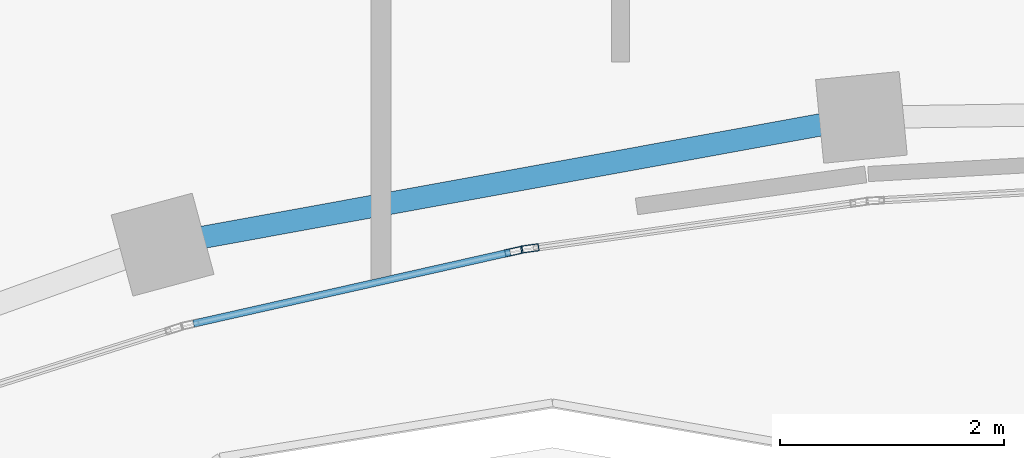
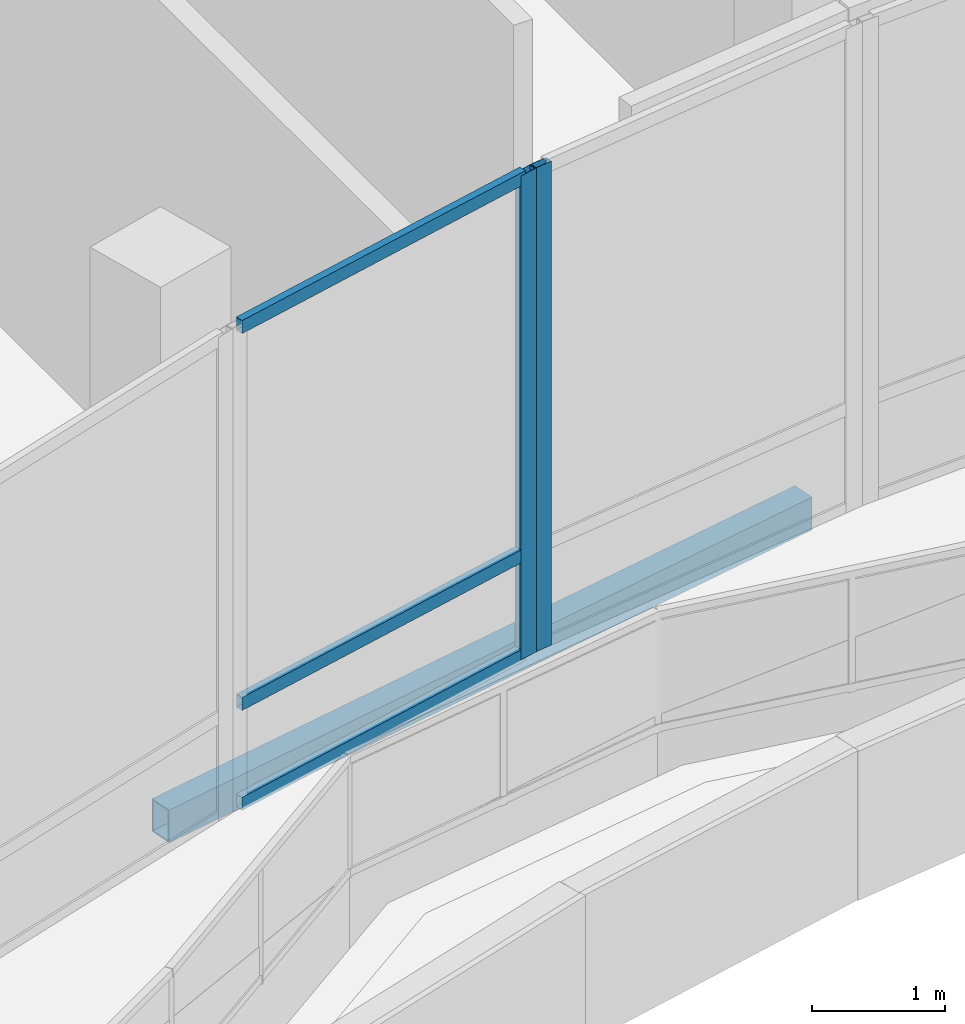
# One storey, part 65 of 168: 5 members, 1 beam, 2 elements without a shape of their own.
"""IFC4 building model written with IfcOpenShell, lengths in metres."""

from ifc_helpers import new_model, si_unit, direction, frame, origin, origin_2d, place, context, subcontext, project, spatial, hollow_rectangle, extrude, material, material_profile, profile_set, type_object, element, aggregate, save


model = new_model("IFC4")

# Units and contexts
model_context = context("Model", 3, precision=1e-05, world=origin(), true_north=direction((0.0, 1.0)))
body_context = subcontext(model_context, "Body", "Model", "MODEL_VIEW")
ifc_project = project(units=[si_unit("LENGTHUNIT", "METRE"), si_unit("AREAUNIT", "SQUARE_METRE"), si_unit("VOLUMEUNIT", "CUBIC_METRE"), si_unit("PLANEANGLEUNIT", "RADIAN"), si_unit("MASSUNIT", "GRAM", prefix="KILO")], contexts=[model_context])

# Site, building, storey
site_placement = place(None, origin())
site = spatial("IfcSite", under=ifc_project, at=site_placement, CompositionType="ELEMENT")
building_placement = place(site_placement, origin())
building = spatial("IfcBuilding", under=site, at=building_placement, Name="Selatvlak General Hospital", CompositionType="ELEMENT")
storey_placement = place(building_placement, frame((0.0, 0.0, 5.39990234375)))
storey = spatial("IfcBuildingStorey", under=building, at=storey_placement, Name="L01", CompositionType="ELEMENT", Elevation=5.39990234375)

# Beam
ifc_material_1 = material(Name="Steel S355", Category="steel")
ifc_material_profile_1 = material_profile(ifc_material_1, hollow_rectangle(XDim=0.199951171875, YDim=0.300048828125, WallThickness=0.011962890625, at=origin_2d()), Name="RHS 300x200x12")
ifc_profile_set_1 = profile_set([ifc_material_profile_1], Name="Steel S355")
beam_type = type_object("IfcBeamType", Name="BM-SP3", PredefinedType="SPANDREL", material=ifc_profile_set_1)
beam_placement = place(storey_placement, frame((130.049072265625, 53.43310546875, -0.469970703125), z_axis=(0.98381754343, 0.179173215743, 0.0), x_axis=(-0.179173215743, 0.98381754343, 0.0)))
element("IfcBeam", 1, at=beam_placement, inside=storey, type_object=beam_type, Name="Beam BMR-L01-0763", PredefinedType="SPANDREL", context=body_context, shape_type="SweptSolid", body=[
    extrude(hollow_rectangle(XDim=0.199951171875, YDim=0.300048828125, WallThickness=0.011962890625, at=origin_2d()), origin(), (0.0, 0.0, 1.0), 6.345703125),
])

# Curtain wall, member
ifc_material_2 = material(Name="Solar-control Low-E double glazing", Category="glass")
curtain_wall_type_1 = type_object("IfcCurtainWallType", Name="CW-CW-02", PredefinedType="USERDEFINED", material=ifc_material_2)
curtain_wall_1_placement = place(storey_placement, origin())
curtain_wall_1 = element("IfcCurtainWall", 2, at=curtain_wall_1_placement, inside=storey, type_object=curtain_wall_type_1, Name="Glazed facade curtain wall CW-L01-0154", ObjectType="UNITISED CURTAIN WALL", PredefinedType="USERDEFINED")
ifc_material_3 = material(Name="Dark anodised aluminium mullion", Category="aluminium")
ifc_material_profile_2 = material_profile(ifc_material_3, hollow_rectangle(XDim=0.06494140625, YDim=0.159912109375, WallThickness=0.00390625, at=origin_2d()), Name="AL-MUL 65x160x4")
ifc_profile_set_2 = profile_set([ifc_material_profile_2], Name="Dark anodised aluminium mullion")
member_type_1 = type_object("IfcMemberType", Name="CWM-01", PredefinedType="MULLION", material=ifc_profile_set_2)
member_1_placement = place(storey_placement, frame((133.330078125, 53.3994140625, 0.0), z_axis=(0.0, 0.0, 1.0), x_axis=(0.138421573138, -0.990373398315, 0.0)))
member_1 = element("IfcMember", 3, at=member_1_placement, type_object=member_type_1, Name="CW-02 mullion 2", PredefinedType="MULLION", context=body_context, shape_type="SweptSolid", body=[
    extrude(hollow_rectangle(XDim=0.06494140625, YDim=0.159912109375, WallThickness=0.00390625, at=origin_2d()), origin(), (0.0, 0.0, 1.0), 4.445068359375),
])
aggregate(curtain_wall_1, [member_1])

# Curtain wall, members
curtain_wall_type_2 = type_object("IfcCurtainWallType", Name="CW-CW-01", PredefinedType="USERDEFINED", material=ifc_material_2)
curtain_wall_2_placement = place(storey_placement, origin())
curtain_wall_2 = element("IfcCurtainWall", 4, at=curtain_wall_2_placement, inside=storey, type_object=curtain_wall_type_2, Name="Glazed facade curtain wall CW-L01-0155", ObjectType="UNITISED CURTAIN WALL", PredefinedType="USERDEFINED")
member_2_placement = place(storey_placement, frame((133.187255859375, 53.371826171875, 0.0), z_axis=(0.0, 0.0, 1.0), x_axis=(0.219653455874, -0.975577961684, 0.0)))
member_2 = element("IfcMember", 5, at=member_2_placement, type_object=member_type_1, Name="CW-01 mullion 1", PredefinedType="MULLION", context=body_context, shape_type="SweptSolid", body=[
    extrude(hollow_rectangle(XDim=0.06494140625, YDim=0.159912109375, WallThickness=0.00390625, at=origin_2d()), origin(), (0.0, 0.0, 1.0), 4.445068359375),
])
ifc_material_profile_3 = material_profile(ifc_material_3, hollow_rectangle(XDim=0.06494140625, YDim=0.1201171875, WallThickness=0.00390625, at=origin_2d()), Name="AL-TRN 65x120x4")
ifc_profile_set_3 = profile_set([ifc_material_profile_3], Name="Dark anodised aluminium mullion")
member_type_2 = type_object("IfcMemberType", Name="CWT-01", PredefinedType="USERDEFINED", material=ifc_profile_set_3)
member_3_placement = place(storey_placement, frame((133.155517578125, 53.36474609375, 0.03271484375), z_axis=(-0.975575511541, -0.219664337757, 0.0), x_axis=(0.219664337757, -0.975575511541, 0.0)))
member_3 = element("IfcMember", 6, at=member_3_placement, type_object=member_type_2, Name="CW-01 transom 1.1", ObjectType="TRANSOM", PredefinedType="USERDEFINED", context=body_context, shape_type="SweptSolid", body=[
    extrude(hollow_rectangle(XDim=0.06494140625, YDim=0.1201171875, WallThickness=0.00390625, at=origin_2d()), origin(), (0.0, 0.0, 1.0), 2.90185546875),
])
member_4_placement = place(storey_placement, frame((133.155517578125, 53.36474609375, 0.9501953125), z_axis=(-0.975575511541, -0.219664337757, 0.0), x_axis=(0.219664337757, -0.975575511541, 0.0)))
member_4 = element("IfcMember", 7, at=member_4_placement, type_object=member_type_2, Name="CW-01 transom 1.2", ObjectType="TRANSOM", PredefinedType="USERDEFINED", context=body_context, shape_type="SweptSolid", body=[
    extrude(hollow_rectangle(XDim=0.06494140625, YDim=0.1201171875, WallThickness=0.00390625, at=origin_2d()), origin(), (0.0, 0.0, 1.0), 2.90185546875),
])
member_5_placement = place(storey_placement, frame((133.155517578125, 53.36474609375, 4.41259765625), z_axis=(-0.975575511541, -0.219664337757, 0.0), x_axis=(0.219664337757, -0.975575511541, 0.0)))
member_5 = element("IfcMember", 8, at=member_5_placement, type_object=member_type_2, Name="CW-01 transom 1.3", ObjectType="TRANSOM", PredefinedType="USERDEFINED", context=body_context, shape_type="SweptSolid", body=[
    extrude(hollow_rectangle(XDim=0.06494140625, YDim=0.1201171875, WallThickness=0.00390625, at=origin_2d()), origin(), (0.0, 0.0, 1.0), 2.90185546875),
])
aggregate(curtain_wall_2, [member_2, member_3, member_4, member_5])

save(model, "model.ifc")
